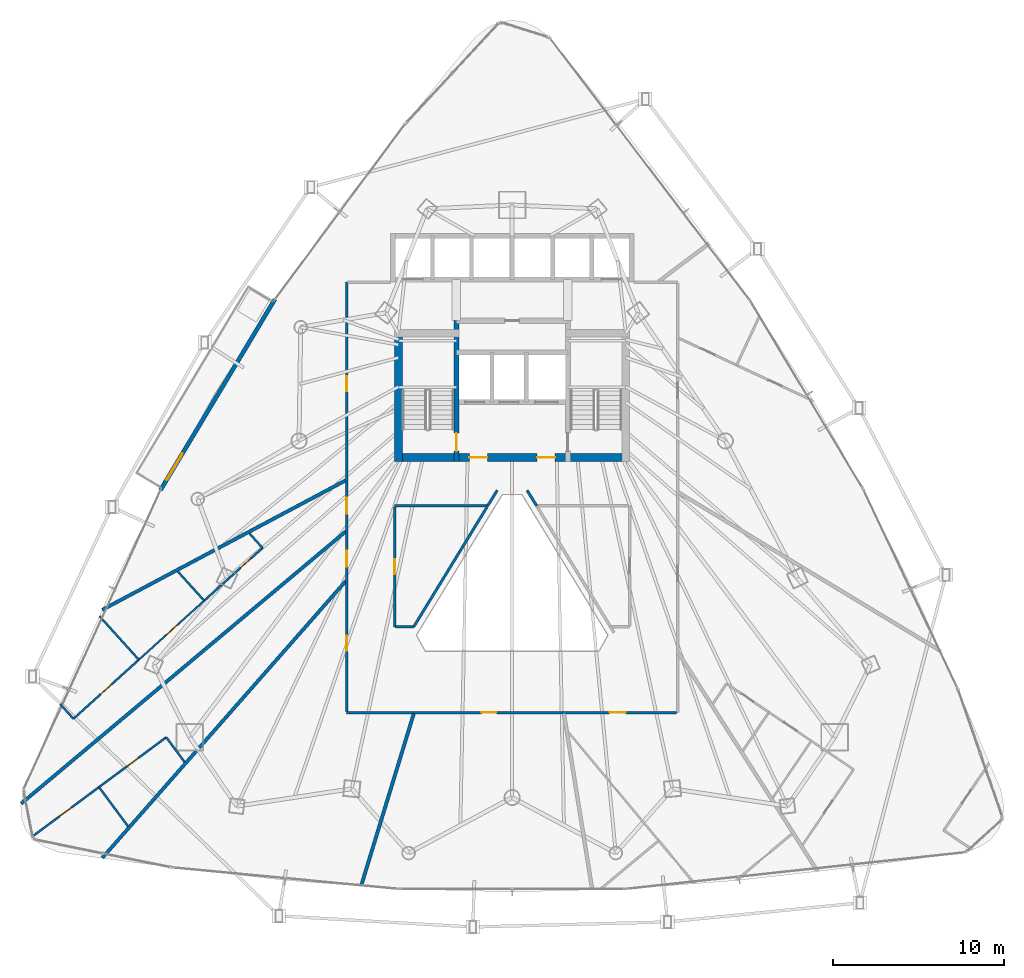
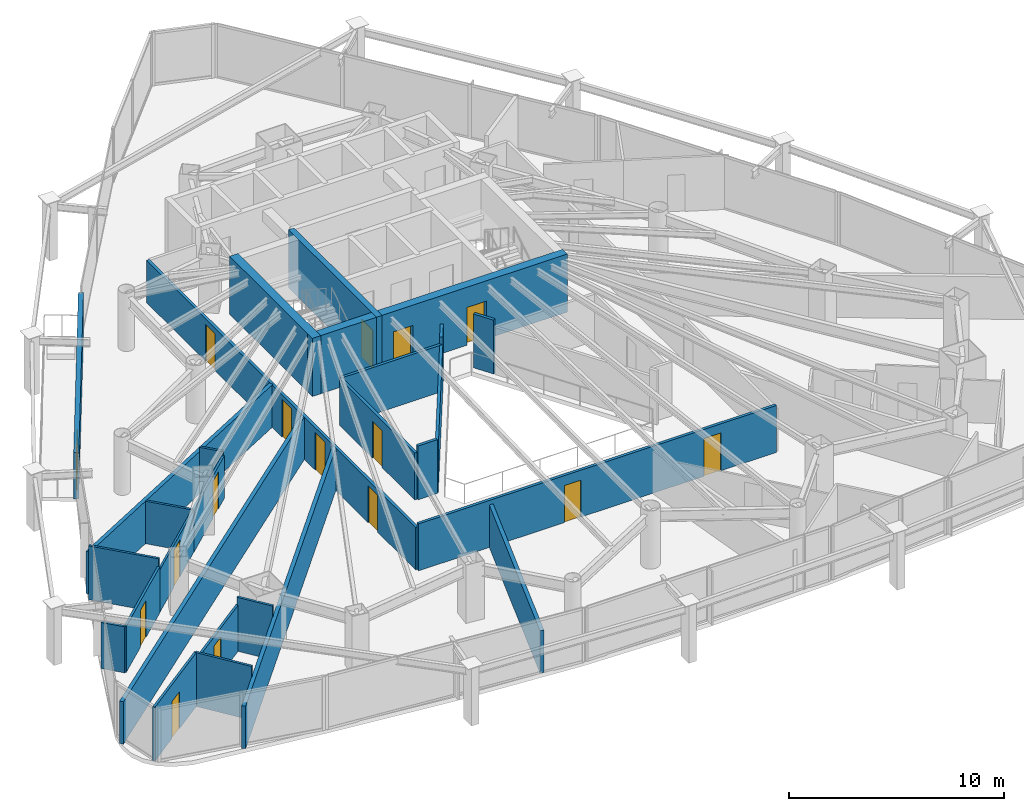
# One storey, part 32 of 38: 27 walls, 16 doors, 16 openings.
"""IFC4 building model written with IfcOpenShell, lengths in metres."""

from ifc_helpers import new_model, si_unit, direction, frame, frame_2d, origin, place, context, subcontext, project, spatial, rectangle, extrude, material, layer, layer_set, type_object, element, fill, save


model = new_model("IFC4")

# Units and contexts
model_context = context("Model", 3, precision=1e-05, world=origin(), true_north=direction((0.0, 1.0)))
body_context = subcontext(model_context, "Body", "Model", "MODEL_VIEW")
ifc_project = project(units=[si_unit("LENGTHUNIT", "METRE"), si_unit("AREAUNIT", "SQUARE_METRE"), si_unit("VOLUMEUNIT", "CUBIC_METRE"), si_unit("PLANEANGLEUNIT", "RADIAN"), si_unit("MASSUNIT", "GRAM", prefix="KILO")], contexts=[model_context])

# Site, building, storey
site_placement = place(None, origin())
site = spatial("IfcSite", under=ifc_project, at=site_placement, CompositionType="ELEMENT")
building_placement = place(site_placement, origin())
building = spatial("IfcBuilding", under=site, at=building_placement, Name="Orvanel Arch Residences", CompositionType="ELEMENT")
storey_placement = place(building_placement, frame((0.0, 0.0, 50.0)))
storey = spatial("IfcBuildingStorey", under=building, at=storey_placement, Name="L13", CompositionType="ELEMENT", Elevation=50.0)

# Wall, opening, door
ifc_material_1 = material(Name="Precast concrete N50 (50 MPa)", Category="concrete")
ifc_layer_1 = layer(ifc_material_1, 0.239990234375)
ifc_layer_set_1 = layer_set([ifc_layer_1], Name="Precast concrete N50 (50 MPa)")
wall_type_1 = type_object("IfcWallType", Name="EW-BAL-240", PredefinedType="SOLIDWALL", material=ifc_layer_set_1)
wall_1_placement = place(storey_placement, frame((19.162109375, 35.89599609375, 0.0), z_axis=(0.0, 0.0, 1.0), x_axis=(-0.514316069528, -0.857600711652, 0.0)))
wall_1 = element("IfcWall", 1, at=wall_1_placement, inside=storey, type_object=wall_type_1, Name="L13 Balcony Threshold Wall Face 1", PredefinedType="SOLIDWALL", context=body_context, shape_type="SweptSolid", body=[
    extrude(rectangle(XDim=12.988525390625, YDim=0.239990234375, at=frame_2d((6.494140625, 0.0))), origin(), (0.0, 0.0, 1.0), 2.6240234375),
])
opening_1_placement = place(wall_1_placement, frame((10.490966796875, 0.0, 0.0)))
opening_1 = element("IfcOpeningElement", 2, at=opening_1_placement, cuts=wall_1, Name="Opening DB-180", PredefinedType="OPENING", context=body_context, shape_type="SweptSolid", body=[
    extrude(rectangle(XDim=1.800048828125, YDim=2.199951171875, at=frame_2d((0.89990234375, 1.10009765625))), frame((0.0, 0.1298828125, 0.0), z_axis=(0.0, -1.0, 0.0), x_axis=(1.0, 0.0, 0.0)), (0.0, 0.0, 1.0), 0.260009765625),
])
ifc_material_2 = material(Name="Bronze-anodised aluminium AA6063-T6", Category="aluminium")
door_type_1 = type_object("IfcDoorType", Name="DR-BAL-1800", OperationType="NOTDEFINED", PredefinedType="DOOR", material=ifc_material_2)
door_1_placement = place(opening_1_placement, origin())
door_1 = element("IfcDoor", 3, at=door_1_placement, inside=storey, type_object=door_type_1, Name="DR-L13-BAL-F1 L13 Planted Balcony Access Door Face 1", OperationType="SINGLE_SWING_LEFT", OverallHeight=2.199951171875, OverallWidth=1.800048828125, PredefinedType="DOOR", context=body_context, shape_type="SweptSolid", body=[
    extrude(rectangle(XDim=1.800048828125, YDim=2.199951171875, at=frame_2d((0.89990234375, 1.10009765625))), frame((0.0, 0.02490234375, 0.0), z_axis=(0.0, -1.0, 0.0), x_axis=(1.0, 0.0, 0.0)), (0.0, 0.0, 1.0), 0.050048828125),
])
fill(opening_1, door_1)

ifc_material_3 = material(Name="Concrete S80 (80 MPa)", Category="concrete")
ifc_layer_2 = layer(ifc_material_3, 0.300048828125)
ifc_layer_set_2 = layer_set([ifc_layer_2], Name="Concrete S80 (80 MPa)")
wall_type_2 = type_object("IfcWallType", Name="SW-CORE-300", PredefinedType="SHEAR", material=ifc_layer_set_2)
wall_2_placement = place(storey_placement, frame((29.75, 26.449951171875, 0.0), z_axis=(0.0, 0.0, 1.0), x_axis=(0.0, 1.0, 0.0)))
wall_2 = element("IfcWall", 4, at=wall_2_placement, inside=storey, type_object=wall_type_2, Name="L13 West Inner Core Spine Shear Wall", PredefinedType="SHEAR", context=body_context, shape_type="SweptSolid", body=[
    extrude(rectangle(XDim=8.199951171875, YDim=0.300048828125, at=frame_2d((4.10009765625, 0.0))), origin(), (0.0, 0.0, 1.0), 3.300048828125),
])
opening_2_placement = place(wall_2_placement, frame((0.60009765625, 0.0, 0.0)))
opening_2 = element("IfcOpeningElement", 5, at=opening_2_placement, cuts=wall_2, Name="Opening DF-120", PredefinedType="OPENING", context=body_context, shape_type="SweptSolid", body=[
    extrude(rectangle(XDim=1.050048828125, YDim=2.14990234375, at=frame_2d((0.52490234375, 1.074951171875))), frame((0.0, 0.159912109375, 0.0), z_axis=(0.0, -1.0, 0.0), x_axis=(1.0, 0.0, 0.0)), (0.0, 0.0, 1.0), 0.320068359375),
])
ifc_material_4 = material(Name="Galvanised steel fire-resisting door assembly", Category="steel")
door_type_2 = type_object("IfcDoorType", Name="DR-FD120-1050", OperationType="NOTDEFINED", PredefinedType="DOOR", material=ifc_material_4)
door_2_placement = place(opening_2_placement, origin())
door_2 = element("IfcDoor", 6, at=door_2_placement, inside=storey, type_object=door_type_2, Name="DR-L13-ST1 L13 Stair 1 Fire Door", OperationType="SINGLE_SWING_LEFT", OverallHeight=2.14990234375, OverallWidth=1.050048828125, PredefinedType="DOOR", context=body_context, shape_type="SweptSolid", body=[
    extrude(rectangle(XDim=1.050048828125, YDim=2.14990234375, at=frame_2d((0.52490234375, 1.074951171875))), frame((0.0, 0.02490234375, 0.0), z_axis=(0.0, -1.0, 0.0), x_axis=(1.0, 0.0, 0.0)), (0.0, 0.0, 1.0), 0.050048828125),
])
fill(opening_2, door_2)

# Wall, openings, doors
ifc_layer_3 = layer(ifc_material_3, 0.449951171875)
ifc_layer_set_3 = layer_set([ifc_layer_3], Name="Concrete S80 (80 MPa)")
wall_type_3 = type_object("IfcWallType", Name="SW-CORE-450", PredefinedType="SHEAR", material=ifc_layer_set_3)
wall_3_placement = place(storey_placement, frame((26.14990234375, 26.675048828125, 0.0), z_axis=(0.0, 0.0, 1.0), x_axis=(1.0, 0.0, 0.0)))
wall_3 = element("IfcWall", 7, at=wall_3_placement, inside=storey, type_object=wall_type_3, Name="L13 South Core Shear Wall", PredefinedType="SHEAR", context=body_context, shape_type="SweptSolid", body=[
    extrude(rectangle(XDim=13.7001953125, YDim=0.449951171875, at=frame_2d((6.85009765625, 0.0))), origin(), (0.0, 0.0, 1.0), 3.300048828125),
])
opening_3_placement = place(wall_3_placement, frame((4.35009765625, 0.0, 0.0)))
opening_3 = element("IfcOpeningElement", 8, at=opening_3_placement, cuts=wall_3, Name="Opening DF-060", PredefinedType="OPENING", context=body_context, shape_type="SweptSolid", body=[
    extrude(rectangle(XDim=1.050048828125, YDim=2.14990234375, at=frame_2d((0.52490234375, 1.074951171875))), frame((0.0, 0.23486328125, 0.0), z_axis=(0.0, -1.0, 0.0), x_axis=(1.0, 0.0, 0.0)), (0.0, 0.0, 1.0), 0.469970703125),
])
opening_4_placement = place(wall_3_placement, frame((8.300048828125, 0.0, 0.0)))
opening_4 = element("IfcOpeningElement", 9, at=opening_4_placement, cuts=wall_3, Name="Opening DF-060", PredefinedType="OPENING", context=body_context, shape_type="SweptSolid", body=[
    extrude(rectangle(XDim=1.050048828125, YDim=2.14990234375, at=frame_2d((0.52490234375, 1.074951171875))), frame((0.0, 0.23486328125, 0.0), z_axis=(0.0, -1.0, 0.0), x_axis=(1.0, 0.0, 0.0)), (0.0, 0.0, 1.0), 0.469970703125),
])
door_type_3 = type_object("IfcDoorType", Name="DR-FD60-1050", OperationType="NOTDEFINED", PredefinedType="DOOR", material=ifc_material_4)
door_3_placement = place(opening_3_placement, origin())
door_3 = element("IfcDoor", 10, at=door_3_placement, inside=storey, type_object=door_type_3, Name="DR-L13-FFL-W L13 West Smoke Lobby Door", OperationType="SINGLE_SWING_LEFT", OverallHeight=2.14990234375, OverallWidth=1.050048828125, PredefinedType="DOOR", context=body_context, shape_type="SweptSolid", body=[
    extrude(rectangle(XDim=1.050048828125, YDim=2.14990234375, at=frame_2d((0.52490234375, 1.074951171875))), frame((0.0, 0.02490234375, 0.0), z_axis=(0.0, -1.0, 0.0), x_axis=(1.0, 0.0, 0.0)), (0.0, 0.0, 1.0), 0.050048828125),
])
fill(opening_3, door_3)
door_4_placement = place(opening_4_placement, origin())
door_4 = element("IfcDoor", 11, at=door_4_placement, inside=storey, type_object=door_type_3, Name="DR-L13-FFL-E L13 East Smoke Lobby Door", OperationType="SINGLE_SWING_RIGHT", OverallHeight=2.14990234375, OverallWidth=1.050048828125, PredefinedType="DOOR", context=body_context, shape_type="SweptSolid", body=[
    extrude(rectangle(XDim=1.050048828125, YDim=2.14990234375, at=frame_2d((0.52490234375, 1.074951171875))), frame((0.0, 0.02490234375, 0.0), z_axis=(0.0, -1.0, 0.0), x_axis=(1.0, 0.0, 0.0)), (0.0, 0.0, 1.0), 0.050048828125),
])
fill(opening_4, door_4)

# Wall
wall_4_placement = place(storey_placement, frame((26.375, 26.449951171875, 0.0), z_axis=(0.0, 0.0, 1.0), x_axis=(0.0, 1.0, 0.0)))
element("IfcWall", 12, at=wall_4_placement, inside=storey, type_object=wall_type_3, Name="L13 West Stair Shear Wall", PredefinedType="SHEAR", context=body_context, shape_type="SweptSolid", body=[
    extrude(rectangle(XDim=7.699951171875, YDim=0.449951171875, at=frame_2d((3.85009765625, 0.0))), origin(), (0.0, 0.0, 1.0), 3.300048828125),
])

# Wall, openings, doors
ifc_material_5 = material(Name="Fire-rated plasterboard lined steel stud partition", Category="steel")
ifc_layer_4 = layer(ifc_material_5, 0.14990234375)
ifc_layer_set_4 = layer_set([ifc_layer_4], Name="Fire-rated plasterboard lined steel stud partition")
wall_type_4 = type_object("IfcWallType", Name="W-COR-150", PredefinedType="PARTITIONING", material=ifc_layer_set_4)
wall_5_placement = place(storey_placement, frame((42.590087890625, 11.800048828125, 0.0), z_axis=(0.0, 0.0, 1.0), x_axis=(-1.0, 0.0, 0.0)))
wall_5 = element("IfcWall", 13, at=wall_5_placement, inside=storey, type_object=wall_type_4, Name="L13 Corridor Fire-Rated Partition", PredefinedType="PARTITIONING", context=body_context, shape_type="SweptSolid", body=[
    extrude(rectangle(XDim=19.239990234375, YDim=0.14990234375, at=frame_2d((9.6201171875, 0.0))), origin(), (0.0, 0.0, 1.0), 2.6689453125),
])
opening_5_placement = place(wall_5_placement, frame((10.508056640625, 0.0, 0.0)))
opening_5 = element("IfcOpeningElement", 14, at=opening_5_placement, cuts=wall_5, Name="Opening DI-088", PredefinedType="OPENING", context=body_context, shape_type="SweptSolid", body=[
    extrude(rectangle(XDim=0.8798828125, YDim=2.10009765625, at=frame_2d((0.43994140625, 1.050048828125))), frame((0.0, 0.0849609375, 0.0), z_axis=(0.0, -1.0, 0.0), x_axis=(1.0, 0.0, 0.0)), (0.0, 0.0, 1.0), 0.169921875),
])
opening_6_placement = place(wall_5_placement, frame((2.97998046875, 0.0, 0.0)))
opening_6 = element("IfcOpeningElement", 15, at=opening_6_placement, cuts=wall_5, Name="Opening DA-092", PredefinedType="OPENING", context=body_context, shape_type="SweptSolid", body=[
    extrude(rectangle(XDim=0.919921875, YDim=2.14990234375, at=frame_2d((0.4599609375, 1.074951171875))), frame((0.0, 0.0849609375, 0.0), z_axis=(0.0, -1.0, 0.0), x_axis=(1.0, 0.0, 0.0)), (0.0, 0.0, 1.0), 0.169921875),
])
ifc_material_6 = material(Name="Solid-core European oak veneer fire door leaf", Category="wood")
door_type_4 = type_object("IfcDoorType", Name="DR-APT-920", OperationType="NOTDEFINED", PredefinedType="DOOR", material=ifc_material_6)
door_5_placement = place(opening_6_placement, origin())
door_5 = element("IfcDoor", 16, at=door_5_placement, inside=storey, type_object=door_type_4, Name="DR-L13-F-ENT L13 Studio F Entrance Door", OperationType="SINGLE_SWING_LEFT", OverallHeight=2.14990234375, OverallWidth=0.919921875, PredefinedType="DOOR", context=body_context, shape_type="SweptSolid", body=[
    extrude(rectangle(XDim=0.919921875, YDim=2.14990234375, at=frame_2d((0.4599609375, 1.074951171875))), frame((0.0, 0.02490234375, 0.0), z_axis=(0.0, -1.0, 0.0), x_axis=(1.0, 0.0, 0.0)), (0.0, 0.0, 1.0), 0.050048828125),
])
fill(opening_6, door_5)
door_type_5 = type_object("IfcDoorType", Name="DR-INT-880", OperationType="NOTDEFINED", PredefinedType="DOOR", material=ifc_material_6)
door_6_placement = place(opening_5_placement, origin())
door_6 = element("IfcDoor", 17, at=door_6_placement, inside=storey, type_object=door_type_5, Name="DR-L13-SHRD-FB5 L13 Co-Working Study Office E Door", OperationType="SINGLE_SWING_LEFT", OverallHeight=2.10009765625, OverallWidth=0.8798828125, PredefinedType="DOOR", context=body_context, shape_type="SweptSolid", body=[
    extrude(rectangle(XDim=0.8798828125, YDim=2.10009765625, at=frame_2d((0.43994140625, 1.050048828125))), frame((0.0, 0.02490234375, 0.0), z_axis=(0.0, -1.0, 0.0), x_axis=(1.0, 0.0, 0.0)), (0.0, 0.0, 1.0), 0.050048828125),
])
fill(opening_5, door_6)

wall_6_placement = place(storey_placement, frame((23.35009765625, 11.860107421875, 0.0), z_axis=(0.0, 0.0, 1.0), x_axis=(0.0, 1.0, 0.0)))
wall_6 = element("IfcWall", 18, at=wall_6_placement, inside=storey, type_object=wall_type_4, Name="L13 Corridor Fire-Rated Partition", PredefinedType="PARTITIONING", context=body_context, shape_type="SweptSolid", body=[
    extrude(rectangle(XDim=25.039794921875, YDim=0.14990234375, at=frame_2d((12.52001953125, 0.0))), origin(), (0.0, 0.0, 1.0), 2.4130859375),
])
opening_7_placement = place(wall_6_placement, frame((18.669921875, 0.0, 0.0)))
opening_7 = element("IfcOpeningElement", 19, at=opening_7_placement, cuts=wall_6, Name="Opening DI-088", PredefinedType="OPENING", context=body_context, shape_type="SweptSolid", body=[
    extrude(rectangle(XDim=0.8798828125, YDim=2.10009765625, at=frame_2d((0.43994140625, 1.050048828125))), frame((0.0, 0.0849609375, 0.0), z_axis=(0.0, -1.0, 0.0), x_axis=(1.0, 0.0, 0.0)), (0.0, 0.0, 1.0), 0.169921875),
])
opening_8_placement = place(wall_6_placement, frame((3.54296875, 0.0, 0.0)))
opening_8 = element("IfcOpeningElement", 20, at=opening_8_placement, cuts=wall_6, Name="Opening DI-088", PredefinedType="OPENING", context=body_context, shape_type="SweptSolid", body=[
    extrude(rectangle(XDim=0.8798828125, YDim=2.10009765625, at=frame_2d((0.43994140625, 1.050048828125))), frame((0.0, 0.0849609375, 0.0), z_axis=(0.0, -1.0, 0.0), x_axis=(1.0, 0.0, 0.0)), (0.0, 0.0, 1.0), 0.169921875),
])
opening_9_placement = place(wall_6_placement, frame((8.445068359375, 0.0, 0.0)))
opening_9 = element("IfcOpeningElement", 21, at=opening_9_placement, cuts=wall_6, Name="Opening DA-092", PredefinedType="OPENING", context=body_context, shape_type="SweptSolid", body=[
    extrude(rectangle(XDim=0.919921875, YDim=2.14990234375, at=frame_2d((0.4599609375, 1.074951171875))), frame((0.0, 0.0849609375, 0.0), z_axis=(0.0, -1.0, 0.0), x_axis=(1.0, 0.0, 0.0)), (0.0, 0.0, 1.0), 0.169921875),
])
opening_10_placement = place(wall_6_placement, frame((11.534912109375, 0.0, 0.0)))
opening_10 = element("IfcOpeningElement", 22, at=opening_10_placement, cuts=wall_6, Name="Opening DA-092", PredefinedType="OPENING", context=body_context, shape_type="SweptSolid", body=[
    extrude(rectangle(XDim=0.919921875, YDim=2.14990234375, at=frame_2d((0.4599609375, 1.074951171875))), frame((0.0, 0.0849609375, 0.0), z_axis=(0.0, -1.0, 0.0), x_axis=(1.0, 0.0, 0.0)), (0.0, 0.0, 1.0), 0.169921875),
])
door_7_placement = place(opening_9_placement, origin())
door_7 = element("IfcDoor", 23, at=door_7_placement, inside=storey, type_object=door_type_4, Name="DR-L13-G-ENT L13 Studio G Entrance Door", OperationType="SINGLE_SWING_RIGHT", OverallHeight=2.14990234375, OverallWidth=0.919921875, PredefinedType="DOOR", context=body_context, shape_type="SweptSolid", body=[
    extrude(rectangle(XDim=0.919921875, YDim=2.14990234375, at=frame_2d((0.4599609375, 1.074951171875))), frame((0.0, 0.02490234375, 0.0), z_axis=(0.0, -1.0, 0.0), x_axis=(1.0, 0.0, 0.0)), (0.0, 0.0, 1.0), 0.050048828125),
])
fill(opening_9, door_7)
door_8_placement = place(opening_10_placement, origin())
door_8 = element("IfcDoor", 24, at=door_8_placement, inside=storey, type_object=door_type_4, Name="DR-L13-H-ENT L13 Studio H Entrance Door", OperationType="SINGLE_SWING_LEFT", OverallHeight=2.14990234375, OverallWidth=0.919921875, PredefinedType="DOOR", context=body_context, shape_type="SweptSolid", body=[
    extrude(rectangle(XDim=0.919921875, YDim=2.14990234375, at=frame_2d((0.4599609375, 1.074951171875))), frame((0.0, 0.02490234375, 0.0), z_axis=(0.0, -1.0, 0.0), x_axis=(1.0, 0.0, 0.0)), (0.0, 0.0, 1.0), 0.050048828125),
])
fill(opening_10, door_8)
door_9_placement = place(opening_7_placement, origin())
door_9 = element("IfcDoor", 25, at=door_9_placement, inside=storey, type_object=door_type_5, Name="DR-L13-SHRD-FB1 L13 Co-Working Study Office A Door", OperationType="SINGLE_SWING_LEFT", OverallHeight=2.10009765625, OverallWidth=0.8798828125, PredefinedType="DOOR", context=body_context, shape_type="SweptSolid", body=[
    extrude(rectangle(XDim=0.8798828125, YDim=2.10009765625, at=frame_2d((0.43994140625, 1.050048828125))), frame((0.0, 0.02490234375, 0.0), z_axis=(0.0, -1.0, 0.0), x_axis=(1.0, 0.0, 0.0)), (0.0, 0.0, 1.0), 0.050048828125),
])
fill(opening_7, door_9)
door_10_placement = place(opening_8_placement, origin())
door_10 = element("IfcDoor", 26, at=door_10_placement, inside=storey, type_object=door_type_5, Name="DR-L13-SHRD-FB3 L13 Co-Working Study Office C Door", OperationType="SINGLE_SWING_LEFT", OverallHeight=2.10009765625, OverallWidth=0.8798828125, PredefinedType="DOOR", context=body_context, shape_type="SweptSolid", body=[
    extrude(rectangle(XDim=0.8798828125, YDim=2.10009765625, at=frame_2d((0.43994140625, 1.050048828125))), frame((0.0, 0.02490234375, 0.0), z_axis=(0.0, -1.0, 0.0), x_axis=(1.0, 0.0, 0.0)), (0.0, 0.0, 1.0), 0.050048828125),
])
fill(opening_8, door_10)

# Walls
wall_7_placement = place(storey_placement, frame((32.12890625, 24.758056640625, 0.0), z_axis=(0.0, 0.0, 1.0), x_axis=(-0.525488010188, -0.850801005611, 0.0)))
element("IfcWall", 27, at=wall_7_placement, inside=storey, type_object=wall_type_4, Name="L13 Corridor Fire-Rated Partition", PredefinedType="PARTITIONING", context=body_context, shape_type="SweptSolid", body=[
    extrude(rectangle(XDim=1.067138671875, YDim=0.14990234375, at=frame_2d((0.53369140625, 0.0))), origin(), (0.0, 0.0, 1.0), 3.06005859375),
])
wall_8_placement = place(storey_placement, frame((31.568115234375, 23.85009765625, 0.0), z_axis=(0.0, 0.0, 1.0), x_axis=(-1.0, 0.0, 0.0)))
element("IfcWall", 28, at=wall_8_placement, inside=storey, type_object=wall_type_4, Name="L13 Corridor Fire-Rated Partition", PredefinedType="PARTITIONING", context=body_context, shape_type="SweptSolid", body=[
    extrude(rectangle(XDim=5.418212890625, YDim=0.14990234375, at=frame_2d((2.708984375, 0.0))), origin(), (0.0, 0.0, 1.0), 2.6689453125),
])

# Wall, opening, door
wall_9_placement = place(storey_placement, frame((26.14990234375, 23.7900390625, 0.0), z_axis=(0.0, 0.0, 1.0), x_axis=(0.0, -1.0, 0.0)))
wall_9 = element("IfcWall", 29, at=wall_9_placement, inside=storey, type_object=wall_type_4, Name="L13 Corridor Fire-Rated Partition", PredefinedType="PARTITIONING", context=body_context, shape_type="SweptSolid", body=[
    extrude(rectangle(XDim=6.989990234375, YDim=0.14990234375, at=frame_2d((3.4951171875, 0.0))), origin(), (0.0, 0.0, 1.0), 2.6689453125),
])
opening_11_placement = place(wall_9_placement, frame((3.054931640625, 0.0, 0.0)))
opening_11 = element("IfcOpeningElement", 30, at=opening_11_placement, cuts=wall_9, Name="Opening DI-088", PredefinedType="OPENING", context=body_context, shape_type="SweptSolid", body=[
    extrude(rectangle(XDim=0.8798828125, YDim=2.10009765625, at=frame_2d((0.43994140625, 1.050048828125))), frame((0.0, 0.0849609375, 0.0), z_axis=(0.0, -1.0, 0.0), x_axis=(1.0, 0.0, 0.0)), (0.0, 0.0, 1.0), 0.169921875),
])
door_11_placement = place(opening_11_placement, origin())
door_11 = element("IfcDoor", 31, at=door_11_placement, inside=storey, type_object=door_type_5, Name="DR-L13-SHRD-FB10 L13 Co-Working Study Office J Door", OperationType="SINGLE_SWING_LEFT", OverallHeight=2.10009765625, OverallWidth=0.8798828125, PredefinedType="DOOR", context=body_context, shape_type="SweptSolid", body=[
    extrude(rectangle(XDim=0.8798828125, YDim=2.10009765625, at=frame_2d((0.43994140625, 1.050048828125))), frame((0.0, 0.02490234375, 0.0), z_axis=(0.0, -1.0, 0.0), x_axis=(1.0, 0.0, 0.0)), (0.0, 0.0, 1.0), 0.050048828125),
])
fill(opening_11, door_11)

# Walls
wall_10_placement = place(storey_placement, frame((26.2099609375, 16.800048828125, 0.0), z_axis=(0.0, 0.0, 1.0), x_axis=(1.0, 0.0, 0.0)))
element("IfcWall", 32, at=wall_10_placement, inside=storey, type_object=wall_type_4, Name="L13 Corridor Fire-Rated Partition", PredefinedType="PARTITIONING", context=body_context, shape_type="SweptSolid", body=[
    extrude(rectangle(XDim=1.049072265625, YDim=0.14990234375, at=frame_2d((0.5244140625, 0.0))), origin(), (0.0, 0.0, 1.0), 3.06005859375),
])
wall_11_placement = place(storey_placement, frame((34.431884765625, 23.85009765625, 0.0), z_axis=(0.0, 0.0, 1.0), x_axis=(-0.525488010188, 0.850801005611, 0.0)))
element("IfcWall", 33, at=wall_11_placement, inside=storey, type_object=wall_type_4, Name="L13 Corridor Fire-Rated Partition", PredefinedType="PARTITIONING", context=body_context, shape_type="SweptSolid", body=[
    extrude(rectangle(XDim=1.067138671875, YDim=0.14990234375, at=frame_2d((0.53369140625, 0.0))), origin(), (0.0, 0.0, 1.0), 3.06005859375),
])
wall_12_placement = place(storey_placement, frame((27.259033203125, 16.801025390625, 0.0), z_axis=(0.0, 0.0, 1.0), x_axis=(0.522072924527, 0.852900850906, 0.0)))
element("IfcWall", 34, at=wall_12_placement, inside=storey, type_object=wall_type_4, Name="L13 Atrium Overlook Glazed Partition", PredefinedType="PARTITIONING", context=body_context, shape_type="SweptSolid", body=[
    extrude(rectangle(XDim=8.1943359375, YDim=0.14990234375, at=frame_2d((4.09716796875, 0.0))), origin(), (0.0, 0.0, 1.0), 2.6689453125),
])
ifc_layer_5 = layer(ifc_material_5, 0.199951171875)
ifc_layer_set_5 = layer_set([ifc_layer_5], Name="Fire-rated plasterboard lined steel stud partition")
wall_type_5 = type_object("IfcWallType", Name="W-DEM-200", PredefinedType="PARTITIONING", material=ifc_layer_set_5)
wall_13_placement = place(storey_placement, frame((23.2900390625, 25.3369140625, 0.0), z_axis=(0.0, 0.0, 1.0), x_axis=(-0.882959018112, -0.469450074379, 0.0)))
element("IfcWall", 35, at=wall_13_placement, inside=storey, type_object=wall_type_5, Name="L13 Inter-Tenancy Acoustic Demising Wall", PredefinedType="PARTITIONING", context=body_context, shape_type="SweptSolid", body=[
    extrude(rectangle(XDim=16.082275390625, YDim=0.199951171875, at=frame_2d((8.041015625, 0.0))), origin(), (0.0, 0.0, 1.0), 2.4130859375),
])
wall_14_placement = place(storey_placement, frame((27.263916015625, 11.739990234375, 0.0), z_axis=(0.0, 0.0, 1.0), x_axis=(-0.292294665238, -0.956328305904, 0.0)))
element("IfcWall", 36, at=wall_14_placement, inside=storey, type_object=wall_type_5, Name="L13 Inter-Tenancy Acoustic Demising Wall", PredefinedType="PARTITIONING", context=body_context, shape_type="SweptSolid", body=[
    extrude(rectangle(XDim=10.510009765625, YDim=0.199951171875, at=frame_2d((5.2548828125, 0.0))), origin(), (0.0, 0.0, 1.0), 2.4130859375),
])
wall_15_placement = place(storey_placement, frame((9.096923828125, 3.318115234375, 0.0), z_axis=(0.0, 0.0, 1.0), x_axis=(0.66036589704, 0.750943993935, 0.0)))
element("IfcWall", 37, at=wall_15_placement, inside=storey, type_object=wall_type_5, Name="L13 Inter-Tenancy Acoustic Demising Wall", PredefinedType="PARTITIONING", context=body_context, shape_type="SweptSolid", body=[
    extrude(rectangle(XDim=21.492919921875, YDim=0.199951171875, at=frame_2d((10.74658203125, 0.0))), origin(), (0.0, 0.0, 1.0), 2.4130859375),
])
wall_16_placement = place(storey_placement, frame((4.362060546875, 6.486083984375, 0.0), z_axis=(0.0, 0.0, 1.0), x_axis=(0.766256370513, 0.642534959865, 0.0)))
element("IfcWall", 38, at=wall_16_placement, inside=storey, type_object=wall_type_5, Name="L13 Inter-Tenancy Acoustic Demising Wall", PredefinedType="PARTITIONING", context=body_context, shape_type="SweptSolid", body=[
    extrude(rectangle(XDim=24.701904296875, YDim=0.199951171875, at=frame_2d((12.35107421875, 0.0))), origin(), (0.0, 0.0, 1.0), 2.4130859375),
])

# Wall, opening, door
ifc_material_7 = material(Name="Acoustic plasterboard lined twin-stud partition", Category="gypsum")
ifc_layer_6 = layer(ifc_material_7, 0.10009765625)
ifc_layer_set_6 = layer_set([ifc_layer_6], Name="Acoustic plasterboard lined twin-stud partition")
wall_type_6 = type_object("IfcWallType", Name="W-INT-100", PredefinedType="PARTITIONING", material=ifc_layer_set_6)
wall_17_placement = place(storey_placement, frame((11.22802734375, 14.8798828125, 0.0), z_axis=(0.0, 0.0, 1.0), x_axis=(0.742007319068, 0.670391779819, 0.0)))
wall_17 = element("IfcWall", 39, at=wall_17_placement, inside=storey, type_object=wall_type_6, Name="L13 Studio H Internal Partition", PredefinedType="PARTITIONING", context=body_context, shape_type="SweptSolid", body=[
    extrude(rectangle(XDim=5.137451171875, YDim=0.10009765625, at=frame_2d((2.56884765625, 0.0))), origin(), (0.0, 0.0, 1.0), 2.4130859375),
])
opening_12_placement = place(wall_17_placement, frame((2.12890625, 0.0, 0.0)))
opening_12 = element("IfcOpeningElement", 40, at=opening_12_placement, cuts=wall_17, Name="Opening DI-088", PredefinedType="OPENING", context=body_context, shape_type="SweptSolid", body=[
    extrude(rectangle(XDim=0.8798828125, YDim=2.10009765625, at=frame_2d((0.43994140625, 1.050048828125))), frame((0.0, 0.06005859375, 0.0), z_axis=(0.0, -1.0, 0.0), x_axis=(1.0, 0.0, 0.0)), (0.0, 0.0, 1.0), 0.1201171875),
])
door_12_placement = place(opening_12_placement, origin())
door_12 = element("IfcDoor", 41, at=door_12_placement, inside=storey, type_object=door_type_5, Name="DR-L13-H-DIN1 L13 Studio H Dining Room 1 Door", OperationType="SINGLE_SWING_LEFT", OverallHeight=2.10009765625, OverallWidth=0.8798828125, PredefinedType="DOOR", context=body_context, shape_type="SweptSolid", body=[
    extrude(rectangle(XDim=0.8798828125, YDim=2.10009765625, at=frame_2d((0.43994140625, 1.050048828125))), frame((0.0, 0.02490234375, 0.0), z_axis=(0.0, -1.0, 0.0), x_axis=(1.0, 0.0, 0.0)), (0.0, 0.0, 1.0), 0.050048828125),
])
fill(opening_12, door_12)

# Wall
ifc_layer_7 = layer(ifc_material_7, 0.1201171875)
ifc_layer_set_7 = layer_set([ifc_layer_7], Name="Acoustic plasterboard lined twin-stud partition")
wall_type_7 = type_object("IfcWallType", Name="W-WET-120", PredefinedType="PARTITIONING", material=ifc_layer_set_7)
wall_18_placement = place(storey_placement, frame((13.89990234375, 8.908935546875, 0.0), z_axis=(0.0, 0.0, 1.0), x_axis=(-0.595282665334, 0.803516364708, 0.0)))
element("IfcWall", 42, at=wall_18_placement, inside=storey, type_object=wall_type_7, Name="L13 Studio G Bathroom Partition", PredefinedType="PARTITIONING", context=body_context, shape_type="SweptSolid", body=[
    extrude(rectangle(XDim=1.80078125, YDim=0.1201171875, at=frame_2d((0.900390625, 0.0))), origin(), (0.0, 0.0, 1.0), 3.06005859375),
])

# Wall, opening, door
wall_19_placement = place(storey_placement, frame((12.827880859375, 10.35595703125, 0.0), z_axis=(0.0, 0.0, 1.0), x_axis=(-0.803609449498, -0.595156998344, 0.0)))
wall_19 = element("IfcWall", 43, at=wall_19_placement, inside=storey, type_object=wall_type_7, Name="L13 Studio G Bathroom Partition", PredefinedType="PARTITIONING", context=body_context, shape_type="SweptSolid", body=[
    extrude(rectangle(XDim=4.8828125, YDim=0.1201171875, at=frame_2d((2.44140625, 0.0))), origin(), (0.0, 0.0, 1.0), 2.618896484375),
])
opening_13_placement = place(wall_19_placement, frame((2.031005859375, 0.0, 0.0)))
opening_13 = element("IfcOpeningElement", 44, at=opening_13_placement, cuts=wall_19, Name="Opening DW-082", PredefinedType="OPENING", context=body_context, shape_type="SweptSolid", body=[
    extrude(rectangle(XDim=0.820068359375, YDim=2.10009765625, at=frame_2d((0.41015625, 1.050048828125))), frame((0.0, 0.070068359375, 0.0), z_axis=(0.0, -1.0, 0.0), x_axis=(1.0, 0.0, 0.0)), (0.0, 0.0, 1.0), 0.14013671875),
])
door_type_6 = type_object("IfcDoorType", Name="DR-WET-820", OperationType="NOTDEFINED", PredefinedType="DOOR", material=ifc_material_6)
door_13_placement = place(opening_13_placement, origin())
door_13 = element("IfcDoor", 45, at=door_13_placement, inside=storey, type_object=door_type_6, Name="DR-L13-G-BATH L13 Studio G Bathroom Door", OperationType="SINGLE_SWING_RIGHT", OverallHeight=2.10009765625, OverallWidth=0.820068359375, PredefinedType="DOOR", context=body_context, shape_type="SweptSolid", body=[
    extrude(rectangle(XDim=0.820068359375, YDim=2.10009765625, at=frame_2d((0.41015625, 1.050048828125))), frame((0.0, 0.02490234375, 0.0), z_axis=(0.0, -1.0, 0.0), x_axis=(1.0, 0.0, 0.0)), (0.0, 0.0, 1.0), 0.050048828125),
])
fill(opening_13, door_13)

wall_20_placement = place(storey_placement, frame((8.904052734375, 7.449951171875, 0.0), z_axis=(0.0, 0.0, 1.0), x_axis=(-0.803552768464, -0.595233524168, 0.0)))
wall_20 = element("IfcWall", 46, at=wall_20_placement, inside=storey, type_object=wall_type_7, Name="L13 Studio G Internal Partition", PredefinedType="PARTITIONING", context=body_context, shape_type="SweptSolid", body=[
    extrude(rectangle(XDim=4.886962890625, YDim=0.1201171875, at=frame_2d((2.443359375, 0.0))), origin(), (0.0, 0.0, 1.0), 3.06005859375),
])
opening_14_placement = place(wall_20_placement, frame((2.00390625, 0.0, 0.0)))
opening_14 = element("IfcOpeningElement", 47, at=opening_14_placement, cuts=wall_20, Name="Opening DI-088", PredefinedType="OPENING", context=body_context, shape_type="SweptSolid", body=[
    extrude(rectangle(XDim=0.8798828125, YDim=2.10009765625, at=frame_2d((0.43994140625, 1.050048828125))), frame((0.0, 0.070068359375, 0.0), z_axis=(0.0, -1.0, 0.0), x_axis=(1.0, 0.0, 0.0)), (0.0, 0.0, 1.0), 0.14013671875),
])
door_14_placement = place(opening_14_placement, origin())
door_14 = element("IfcDoor", 48, at=door_14_placement, inside=storey, type_object=door_type_5, Name="DR-L13-G-KIT L13 Studio G Kitchenette Door", OperationType="SINGLE_SWING_LEFT", OverallHeight=2.10009765625, OverallWidth=0.8798828125, PredefinedType="DOOR", context=body_context, shape_type="SweptSolid", body=[
    extrude(rectangle(XDim=0.8798828125, YDim=2.10009765625, at=frame_2d((0.43994140625, 1.050048828125))), frame((0.0, 0.02490234375, 0.0), z_axis=(0.0, -1.0, 0.0), x_axis=(1.0, 0.0, 0.0)), (0.0, 0.0, 1.0), 0.050048828125),
])
fill(opening_14, door_14)

# Wall
wall_21_placement = place(storey_placement, frame((10.60205078125, 5.157958984375, 0.0), z_axis=(0.0, 0.0, 1.0), x_axis=(-0.595278721497, 0.803519286472, 0.0)))
element("IfcWall", 49, at=wall_21_placement, inside=storey, type_object=wall_type_7, Name="L13 Studio G Bathroom Partition", PredefinedType="PARTITIONING", context=body_context, shape_type="SweptSolid", body=[
    extrude(rectangle(XDim=2.8525390625, YDim=0.1201171875, at=frame_2d((1.42626953125, 0.0))), origin(), (0.0, 0.0, 1.0), 3.06005859375),
])

# Wall, opening, door
wall_22_placement = place(storey_placement, frame((15.0400390625, 18.323974609375, 0.0), z_axis=(0.0, 0.0, 1.0), x_axis=(0.741971948415, 0.670430926916, 0.0)))
wall_22 = element("IfcWall", 50, at=wall_22_placement, inside=storey, type_object=wall_type_7, Name="L13 Studio H Bathroom Partition", PredefinedType="PARTITIONING", context=body_context, shape_type="SweptSolid", body=[
    extrude(rectangle(XDim=4.58642578125, YDim=0.1201171875, at=frame_2d((2.293212890625, 0.0))), origin(), (0.0, 0.0, 1.0), 2.4130859375),
])
opening_15_placement = place(wall_22_placement, frame((2.860107421875, 0.0, 0.0)))
opening_15 = element("IfcOpeningElement", 51, at=opening_15_placement, cuts=wall_22, Name="Opening DW-082", PredefinedType="OPENING", context=body_context, shape_type="SweptSolid", body=[
    extrude(rectangle(XDim=0.820068359375, YDim=2.10009765625, at=frame_2d((0.41015625, 1.050048828125))), frame((0.0, 0.070068359375, 0.0), z_axis=(0.0, -1.0, 0.0), x_axis=(1.0, 0.0, 0.0)), (0.0, 0.0, 1.0), 0.14013671875),
])
door_15_placement = place(opening_15_placement, origin())
door_15 = element("IfcDoor", 52, at=door_15_placement, inside=storey, type_object=door_type_6, Name="DR-L13-H-BATH L13 Studio H Bathroom Door", OperationType="SINGLE_SWING_RIGHT", OverallHeight=2.10009765625, OverallWidth=0.820068359375, PredefinedType="DOOR", context=body_context, shape_type="SweptSolid", body=[
    extrude(rectangle(XDim=0.820068359375, YDim=2.10009765625, at=frame_2d((0.41015625, 1.050048828125))), frame((0.0, 0.02490234375, 0.0), z_axis=(0.0, -1.0, 0.0), x_axis=(1.0, 0.0, 0.0)), (0.0, 0.0, 1.0), 0.050048828125),
])
fill(opening_15, door_15)

# Walls
wall_23_placement = place(storey_placement, frame((18.443115234375, 21.39892578125, 0.0), z_axis=(0.0, 0.0, 1.0), x_axis=(-0.670112835353, 0.742259245746, 0.0)))
element("IfcWall", 53, at=wall_23_placement, inside=storey, type_object=wall_type_7, Name="L13 Studio H Bathroom Partition", PredefinedType="PARTITIONING", context=body_context, shape_type="SweptSolid", body=[
    extrude(rectangle(XDim=1.150634765625, YDim=0.1201171875, at=frame_2d((0.5751953125, 0.0))), origin(), (0.0, 0.0, 1.0), 2.6689453125),
])
wall_24_placement = place(storey_placement, frame((6.64208984375, 12.29296875, 0.0), z_axis=(0.0, 0.0, 1.0), x_axis=(0.670248695606, -0.742136568321, 0.0)))
element("IfcWall", 54, at=wall_24_placement, inside=storey, type_object=wall_type_7, Name="L13 Studio H Internal Partition", PredefinedType="PARTITIONING", context=body_context, shape_type="SweptSolid", body=[
    extrude(rectangle(XDim=1.15478515625, YDim=0.1201171875, at=frame_2d((0.577392578125, 0.0))), origin(), (0.0, 0.0, 1.0), 2.618896484375),
])

# Wall, opening, door
wall_25_placement = place(storey_placement, frame((7.416015625, 11.43603515625, 0.0), z_axis=(0.0, 0.0, 1.0), x_axis=(0.742030958457, 0.670365614192, 0.0)))
wall_25 = element("IfcWall", 55, at=wall_25_placement, inside=storey, type_object=wall_type_7, Name="L13 Studio H Internal Partition", PredefinedType="PARTITIONING", context=body_context, shape_type="SweptSolid", body=[
    extrude(rectangle(XDim=5.13720703125, YDim=0.1201171875, at=frame_2d((2.568603515625, 0.0))), origin(), (0.0, 0.0, 1.0), 2.618896484375),
])
opening_16_placement = place(wall_25_placement, frame((2.12890625, 0.0, 0.0)))
opening_16 = element("IfcOpeningElement", 56, at=opening_16_placement, cuts=wall_25, Name="Opening DI-088", PredefinedType="OPENING", context=body_context, shape_type="SweptSolid", body=[
    extrude(rectangle(XDim=0.8798828125, YDim=2.10009765625, at=frame_2d((0.43994140625, 1.050048828125))), frame((0.0, 0.070068359375, 0.0), z_axis=(0.0, -1.0, 0.0), x_axis=(1.0, 0.0, 0.0)), (0.0, 0.0, 1.0), 0.14013671875),
])
door_16_placement = place(opening_16_placement, origin())
door_16 = element("IfcDoor", 57, at=door_16_placement, inside=storey, type_object=door_type_5, Name="DR-L13-H-KIT L13 Studio H Kitchenette Door", OperationType="SINGLE_SWING_LEFT", OverallHeight=2.10009765625, OverallWidth=0.8798828125, PredefinedType="DOOR", context=body_context, shape_type="SweptSolid", body=[
    extrude(rectangle(XDim=0.8798828125, YDim=2.10009765625, at=frame_2d((0.43994140625, 1.050048828125))), frame((0.0, 0.02490234375, 0.0), z_axis=(0.0, -1.0, 0.0), x_axis=(1.0, 0.0, 0.0)), (0.0, 0.0, 1.0), 0.050048828125),
])
fill(opening_16, door_16)

# Walls
wall_26_placement = place(storey_placement, frame((15.0400390625, 18.323974609375, 0.0), z_axis=(0.0, 0.0, 1.0), x_axis=(-0.670602478911, 0.741816901451, 0.0)))
element("IfcWall", 58, at=wall_26_placement, inside=storey, type_object=wall_type_7, Name="L13 Studio H Bathroom Partition", PredefinedType="PARTITIONING", context=body_context, shape_type="SweptSolid", body=[
    extrude(rectangle(XDim=2.3037109375, YDim=0.1201171875, at=frame_2d((1.15185546875, 0.0))), origin(), (0.0, 0.0, 1.0), 2.4130859375),
])
wall_27_placement = place(storey_placement, frame((8.930908203125, 17.422119140625, 0.0), z_axis=(0.0, 0.0, 1.0), x_axis=(0.670431816202, -0.741971144873, 0.0)))
element("IfcWall", 59, at=wall_27_placement, inside=storey, type_object=wall_type_7, Name="L13 Studio H Internal Partition", PredefinedType="PARTITIONING", context=body_context, shape_type="SweptSolid", body=[
    extrude(rectangle(XDim=3.42626953125, YDim=0.1201171875, at=frame_2d((1.713134765625, 0.0))), origin(), (0.0, 0.0, 1.0), 3.06005859375),
])

save(model, "model.ifc")
